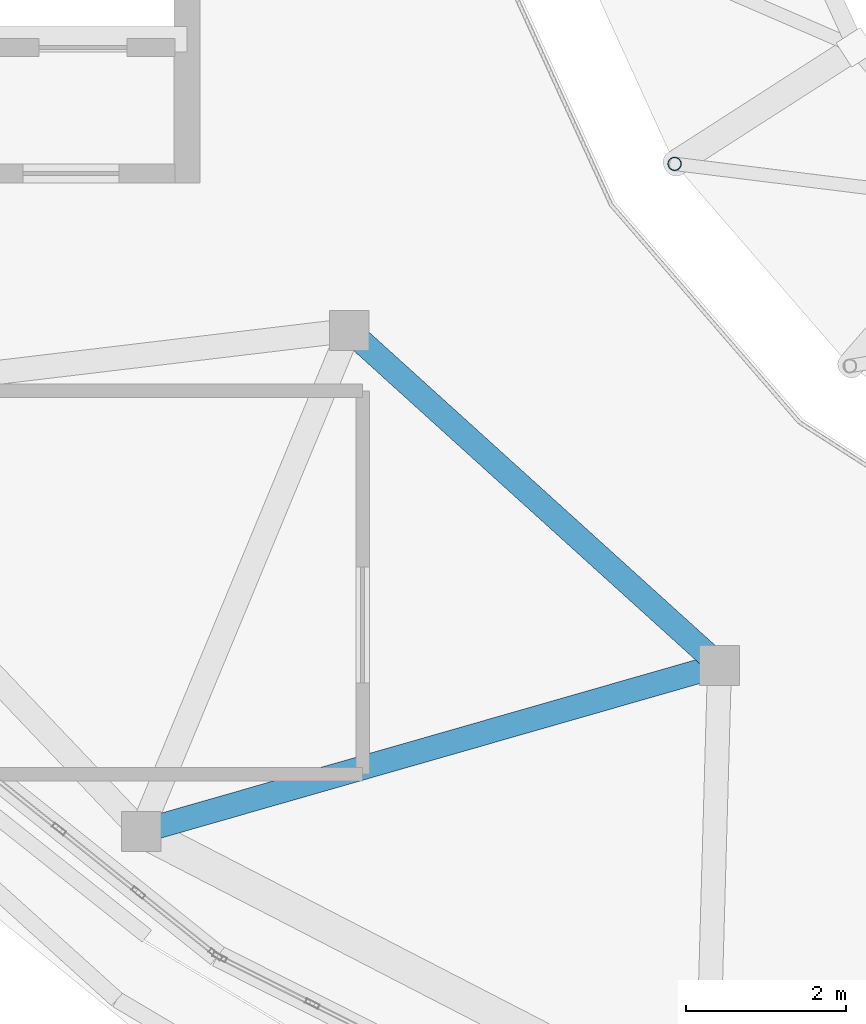
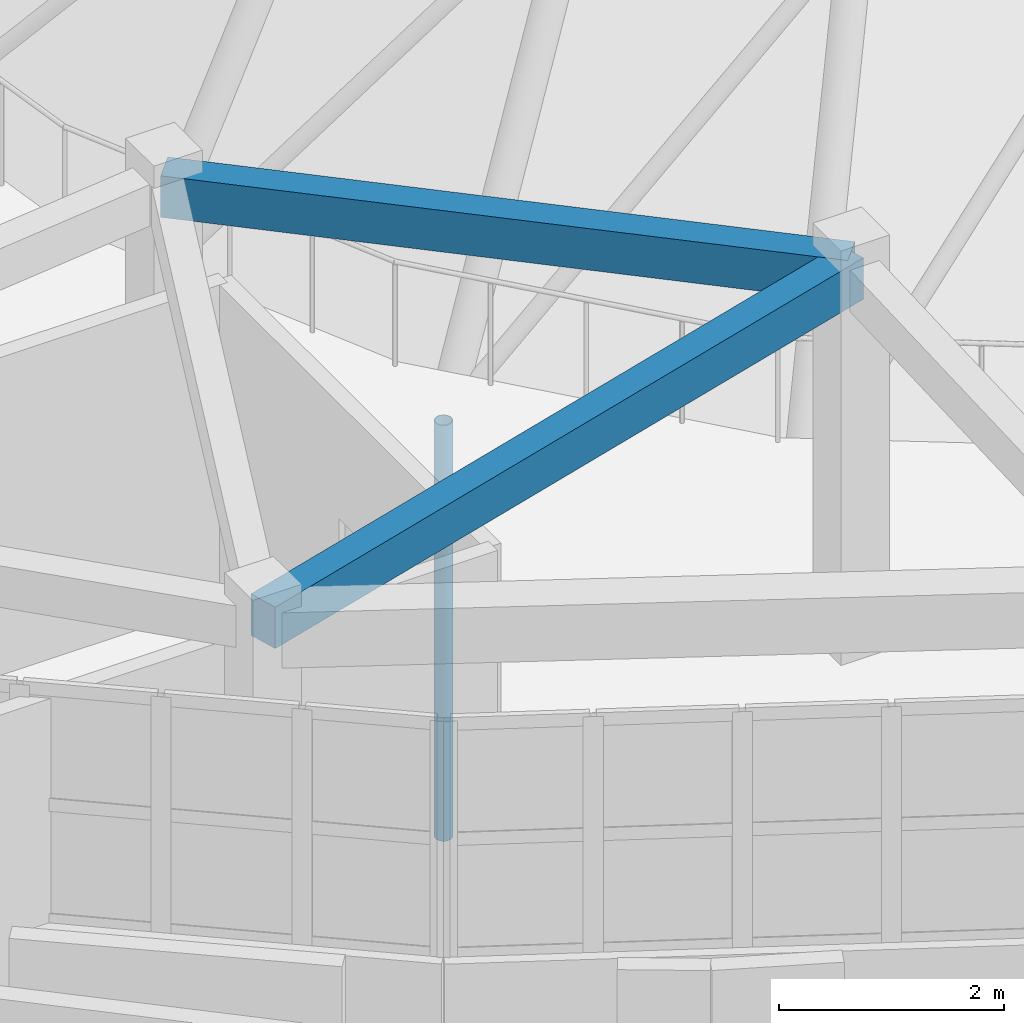
# One storey, part 4 of 38: 2 beams, 1 member.
"""IFC4 building model written with IfcOpenShell, lengths in metres."""

from ifc_helpers import new_model, si_unit, direction, frame, origin, origin_2d, place, context, subcontext, project, spatial, rectangle, hollow_circle, extrude, material, material_profile, profile_set, type_object, element, save


model = new_model("IFC4")

# Units and contexts
model_context = context("Model", 3, precision=1e-05, world=origin(), true_north=direction((0.0, 1.0)))
body_context = subcontext(model_context, "Body", "Model", "MODEL_VIEW")
ifc_project = project(units=[si_unit("LENGTHUNIT", "METRE"), si_unit("AREAUNIT", "SQUARE_METRE"), si_unit("VOLUMEUNIT", "CUBIC_METRE"), si_unit("PLANEANGLEUNIT", "RADIAN"), si_unit("MASSUNIT", "GRAM", prefix="KILO")], contexts=[model_context])

# Site, building, storey
site_placement = place(None, origin())
site = spatial("IfcSite", under=ifc_project, at=site_placement, CompositionType="ELEMENT")
building_placement = place(site_placement, origin())
building = spatial("IfcBuilding", under=site, at=building_placement, Name="Pelvatis Terrace Science Centre", CompositionType="ELEMENT")
storey_placement = place(building_placement, frame((0.0, 0.0, 24.300048828125)))
storey = spatial("IfcBuildingStorey", under=building, at=storey_placement, Name="L05", CompositionType="ELEMENT", Elevation=24.300048828125)

# Beams
ifc_material_1 = material(Name="Concrete C35/45", Category="concrete")
ifc_material_profile_1 = material_profile(ifc_material_1, rectangle(XDim=0.300048828125, YDim=0.449951171875, at=origin_2d()), Name="RC-BM 300x450")
ifc_profile_set_1 = profile_set([ifc_material_profile_1], Name="Concrete C35/45")
beam_type = type_object("IfcBeamType", Name="BM-RC-300x450", PredefinedType="BEAM", material=ifc_profile_set_1)
beam_1_placement = place(storey_placement, frame((92.62744140625, 71.0849609375, 4.034912109375), z_axis=(0.961229800433, 0.275748564382, 0.0), x_axis=(-0.275748564382, 0.961229800433, 0.0)))
element("IfcBeam", 1, at=beam_1_placement, inside=storey, type_object=beam_type, Name="Beam BM-L05-3135", PredefinedType="BEAM", context=body_context, shape_type="SweptSolid", body=[
    extrude(rectangle(XDim=0.300048828125, YDim=0.449951171875, at=origin_2d()), origin(), (0.0, 0.0, 1.0), 7.531005859375),
])
beam_2_placement = place(storey_placement, frame((95.231201171875, 77.355224609375, 4.034912109375), z_axis=(0.741551509184, -0.670895937704, 0.0), x_axis=(0.670895937704, 0.741551509184, 0.0)))
element("IfcBeam", 2, at=beam_2_placement, inside=storey, type_object=beam_type, Name="Beam BM-L05-3147", PredefinedType="BEAM", context=body_context, shape_type="SweptSolid", body=[
    extrude(rectangle(XDim=0.300048828125, YDim=0.449951171875, at=origin_2d()), origin(), (0.0, 0.0, 1.0), 6.250732421875),
])

# Member
ifc_material_2 = material(Name="Structural steel S355", Category="steel")
ifc_material_profile_2 = material_profile(ifc_material_2, hollow_circle(Radius=0.084228515625, WallThickness=0.00634765625, at=origin_2d()), Name="CHS 168.3x6.3")
ifc_profile_set_2 = profile_set([ifc_material_profile_2], Name="Structural steel S355")
member_type = type_object("IfcMemberType", Name="MEM-STR-CHS168", PredefinedType="STRUT", material=ifc_profile_set_2)
member_placement = place(storey_placement, frame((99.30419921875, 79.4404296875, -5.699951171875), z_axis=(0.0, 0.0, 1.0), x_axis=(1.0, 0.0, 0.0)))
element("IfcMember", 3, at=member_placement, inside=storey, type_object=member_type, Name="Dome arch vertical web post 1.14", PredefinedType="STRUT", context=body_context, shape_type="SweptSolid", body=[
    extrude(hollow_circle(Radius=0.084228515625, WallThickness=0.00634765625, at=origin_2d()), origin(), (0.0, 0.0, 1.0), 4.515380859375),
])

save(model, "model.ifc")
